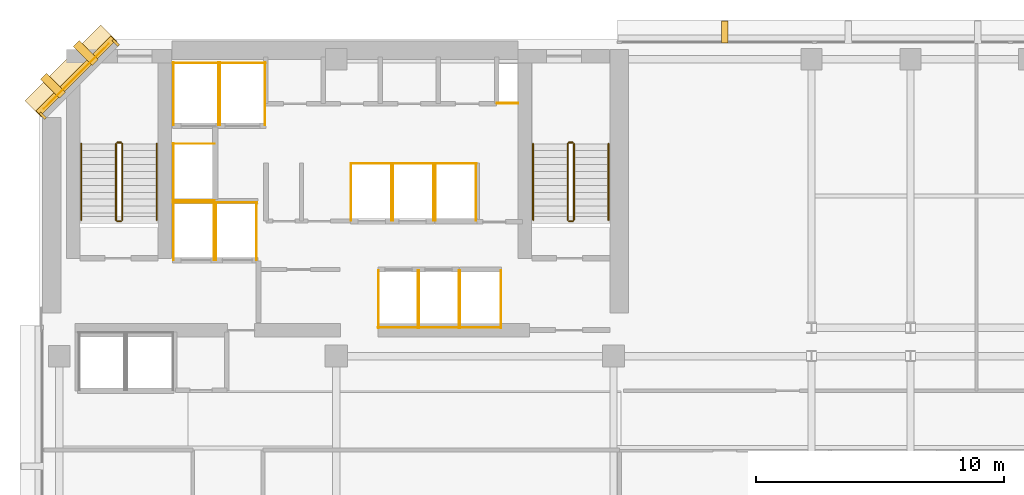
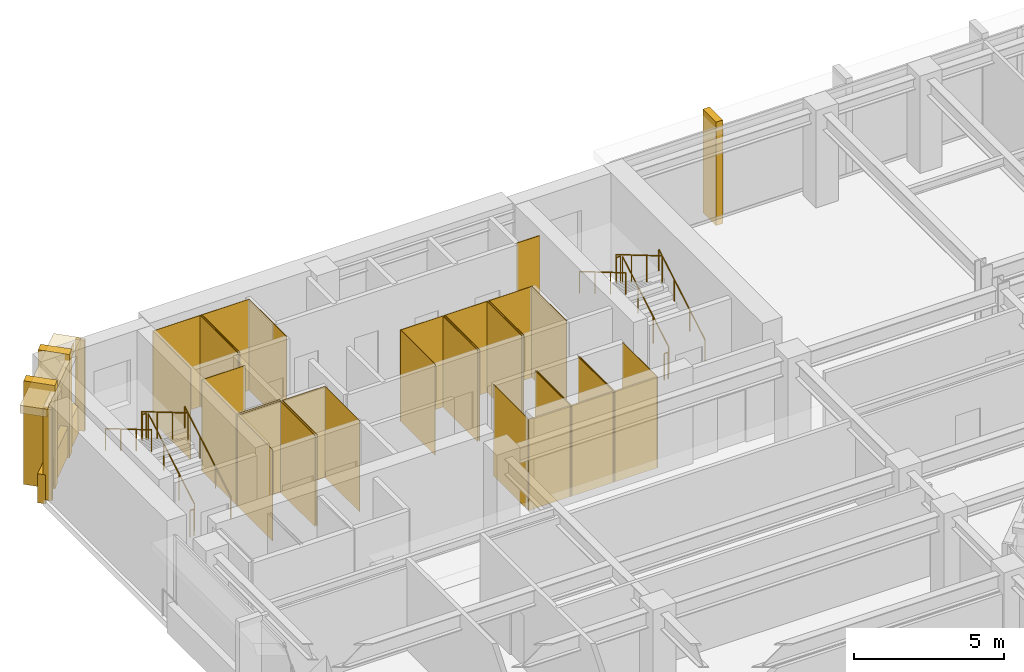
# One storey, part 10 of 11: 42 coverings, 12 railings.
"""IFC4 building model written with IfcOpenShell, lengths in metres."""

from ifc_helpers import new_model, si_unit, direction, frame, origin, origin_2d, place, context, subcontext, project, spatial, polyline, rectangle, circle, outline, extrude, material, layer, layer_set, type_object, element, save


model = new_model("IFC4")

# Units and contexts
model_context = context("Model", 3, precision=1e-05, world=origin(), true_north=direction((0.0, 1.0)))
body_context = subcontext(model_context, "Body", "Model", "MODEL_VIEW")
ifc_project = project(units=[si_unit("LENGTHUNIT", "METRE"), si_unit("AREAUNIT", "SQUARE_METRE"), si_unit("VOLUMEUNIT", "CUBIC_METRE"), si_unit("PLANEANGLEUNIT", "RADIAN"), si_unit("MASSUNIT", "GRAM", prefix="KILO")], contexts=[model_context])

# Site, building, storey
site_placement = place(None, origin())
site = spatial("IfcSite", under=ifc_project, at=site_placement, CompositionType="ELEMENT")
building_placement = place(site_placement, origin())
building = spatial("IfcBuilding", under=site, at=building_placement, Name="Kefirva Bronze Tower", CompositionType="ELEMENT")
storey_placement = place(building_placement, frame((0.0, 0.0, 150.81005859375)))
storey = spatial("IfcBuildingStorey", under=building, at=storey_placement, Name="L36", CompositionType="ELEMENT", Elevation=150.81005859375)

# Coverings
ifc_material_1 = material(Name="Bronze anodised aluminium", Category="aluminium")
ifc_layer_1 = layer(ifc_material_1, 0.02001953125, Name="Bronze anodised aluminium")
ifc_layer_set_1 = layer_set([ifc_layer_1], Name="Bronze anodised aluminium")
covering_type_1 = type_object("IfcCoveringType", Name="Anodised Bronze Spandrel Cladding 20mm", PredefinedType="CLADDING", material=ifc_layer_set_1)
covering_1_placement = place(storey_placement, frame((1.492919921875, 44.507080078125, 3.2900390625), z_axis=(0.0, 0.0, 1.0), x_axis=(-0.707106781187, -0.707106781187, 0.0)))
element("IfcCovering", 1, at=covering_1_placement, inside=storey, type_object=covering_type_1, Name="L36 Bronze Spandrel Cladding 5", PredefinedType="CLADDING", context=body_context, shape_type="SweptSolid", body=[
    extrude(rectangle(XDim=3.719482421875, YDim=0.02001953125, at=origin_2d()), origin(), (0.0, 0.0, 1.0), 0.39990234375),
])
for number, where, z_axis, x_axis, name in (
    (2, (3.08837890625, 45.862060546875, 0.0), (0.0, 0.0, 1.0), (-0.707106781187, -0.707106781187, 0.0), "L36 Facade Joint Closure Panel 5S"),
    (3, (0.137939453125, 42.91162109375, 0.0), (0.0, 0.0, 1.0), (-0.707106781187, -0.707106781187, 0.0), "L36 Facade Joint Closure Panel 5E"),
):
    element("IfcCovering", number, at=place(storey_placement, frame(where, z_axis=z_axis, x_axis=x_axis)), inside=storey, type_object=covering_type_1, Name=name, PredefinedType="CLADDING", context=body_context, shape_type="SweptSolid", body=[
        extrude(rectangle(XDim=0.10009765625, YDim=0.320068359375, at=origin_2d()), origin(), (0.0, 0.0, 1.0), 3.7099609375),
    ])
covering_2_placement = place(storey_placement, frame((1.4716796875, 44.5283203125, -0.16015625), z_axis=(0.0, 0.0, 1.0), x_axis=(-0.707106781187, -0.707106781187, 0.0)))
element("IfcCovering", 4, at=covering_2_placement, inside=storey, type_object=covering_type_1, Name="L36 Streamline Horizontal Spandrel Band 9", PredefinedType="CLADDING", context=body_context, shape_type="SweptSolid", body=[
    extrude(rectangle(XDim=4.28271484375, YDim=0.280029296875, at=origin_2d()), origin(), (0.0, 0.0, 1.0), 1.179931640625),
])
covering_3_placement = place(storey_placement, origin())
element("IfcCovering", 5, at=covering_3_placement, inside=storey, type_object=covering_type_1, Name="L36 Lift FF1 Hoistway Liner N", PredefinedType="CLADDING", context=body_context, shape_type="SweptSolid", body=[
    extrude(outline(polyline([(5.39990234375, 39.389892578125), (7.080078125, 39.389892578125), (7.080078125, 39.409912109375), (5.39990234375, 39.409912109375), (5.39990234375, 39.389892578125)])), origin(), (0.0, 0.0, 1.0), 3.7099609375),
])
covering_4_placement = place(storey_placement, origin())
element("IfcCovering", 6, at=covering_4_placement, inside=storey, type_object=covering_type_1, Name="L36 Lift FF1 Hoistway Liner W", PredefinedType="CLADDING", context=body_context, shape_type="SweptSolid", body=[
    extrude(outline(polyline([(5.409912109375, 37.080078125), (5.429931640625, 37.080078125), (5.429931640625, 39.419921875), (5.409912109375, 39.419921875), (5.409912109375, 37.080078125)])), origin(), (0.0, 0.0, 1.0), 3.7099609375),
])
covering_5_placement = place(storey_placement, origin())
element("IfcCovering", 7, at=covering_5_placement, inside=storey, type_object=covering_type_1, Name="L36 Lift FF1 Hoistway Liner E", PredefinedType="CLADDING", context=body_context, shape_type="SweptSolid", body=[
    extrude(outline(polyline([(7.050048828125, 37.080078125), (7.070068359375, 37.080078125), (7.070068359375, 39.419921875), (7.050048828125, 39.419921875), (7.050048828125, 37.080078125)])), origin(), (0.0, 0.0, 1.0), 3.7099609375),
])
covering_6_placement = place(storey_placement, origin())
element("IfcCovering", 8, at=covering_6_placement, inside=storey, type_object=covering_type_1, Name="L36 Lift FF2 Hoistway Liner N", PredefinedType="CLADDING", context=body_context, shape_type="SweptSolid", body=[
    extrude(outline(polyline([(7.1201171875, 39.389892578125), (8.800048828125, 39.389892578125), (8.800048828125, 39.409912109375), (7.1201171875, 39.409912109375), (7.1201171875, 39.389892578125)])), origin(), (0.0, 0.0, 1.0), 3.7099609375),
])
covering_7_placement = place(storey_placement, origin())
element("IfcCovering", 9, at=covering_7_placement, inside=storey, type_object=covering_type_1, Name="L36 Lift FF2 Hoistway Liner W", PredefinedType="CLADDING", context=body_context, shape_type="SweptSolid", body=[
    extrude(outline(polyline([(7.1298828125, 37.080078125), (7.14990234375, 37.080078125), (7.14990234375, 39.419921875), (7.1298828125, 39.419921875), (7.1298828125, 37.080078125)])), origin(), (0.0, 0.0, 1.0), 3.7099609375),
])
covering_8_placement = place(storey_placement, origin())
element("IfcCovering", 10, at=covering_8_placement, inside=storey, type_object=covering_type_1, Name="L36 Lift FF2 Hoistway Liner E", PredefinedType="CLADDING", context=body_context, shape_type="SweptSolid", body=[
    extrude(outline(polyline([(8.77001953125, 37.080078125), (8.7900390625, 37.080078125), (8.7900390625, 39.419921875), (8.77001953125, 39.419921875), (8.77001953125, 37.080078125)])), origin(), (0.0, 0.0, 1.0), 3.7099609375),
])
covering_9_placement = place(storey_placement, origin())
element("IfcCovering", 11, at=covering_9_placement, inside=storey, type_object=covering_type_1, Name="L36 Lift SV1 Hoistway Liner N", PredefinedType="CLADDING", context=body_context, shape_type="SweptSolid", body=[
    extrude(outline(polyline([(5.39990234375, 45.0400390625), (7.260009765625, 45.0400390625), (7.260009765625, 45.06005859375), (5.39990234375, 45.06005859375), (5.39990234375, 45.0400390625)])), origin(), (0.0, 0.0, 1.0), 3.7099609375),
])
covering_10_placement = place(storey_placement, origin())
element("IfcCovering", 12, at=covering_10_placement, inside=storey, type_object=covering_type_1, Name="L36 Lift SV1 Hoistway Liner W", PredefinedType="CLADDING", context=body_context, shape_type="SweptSolid", body=[
    extrude(outline(polyline([(5.409912109375, 42.530029296875), (5.429931640625, 42.530029296875), (5.429931640625, 45.070068359375), (5.409912109375, 45.070068359375), (5.409912109375, 42.530029296875)])), origin(), (0.0, 0.0, 1.0), 3.7099609375),
])
covering_11_placement = place(storey_placement, origin())
element("IfcCovering", 13, at=covering_11_placement, inside=storey, type_object=covering_type_1, Name="L36 Lift SV1 Hoistway Liner E", PredefinedType="CLADDING", context=body_context, shape_type="SweptSolid", body=[
    extrude(outline(polyline([(7.22998046875, 42.530029296875), (7.25, 42.530029296875), (7.25, 45.070068359375), (7.22998046875, 45.070068359375), (7.22998046875, 42.530029296875)])), origin(), (0.0, 0.0, 1.0), 3.7099609375),
])
covering_12_placement = place(storey_placement, origin())
element("IfcCovering", 14, at=covering_12_placement, inside=storey, type_object=covering_type_1, Name="L36 Lift SV2 Hoistway Liner N", PredefinedType="CLADDING", context=body_context, shape_type="SweptSolid", body=[
    extrude(outline(polyline([(7.280029296875, 45.0400390625), (9.139892578125, 45.0400390625), (9.139892578125, 45.06005859375), (7.280029296875, 45.06005859375), (7.280029296875, 45.0400390625)])), origin(), (0.0, 0.0, 1.0), 3.7099609375),
])
covering_13_placement = place(storey_placement, origin())
element("IfcCovering", 15, at=covering_13_placement, inside=storey, type_object=covering_type_1, Name="L36 Lift SV2 Hoistway Liner W", PredefinedType="CLADDING", context=body_context, shape_type="SweptSolid", body=[
    extrude(outline(polyline([(7.2900390625, 42.530029296875), (7.31005859375, 42.530029296875), (7.31005859375, 45.070068359375), (7.2900390625, 45.070068359375), (7.2900390625, 42.530029296875)])), origin(), (0.0, 0.0, 1.0), 3.7099609375),
])
covering_14_placement = place(storey_placement, origin())
element("IfcCovering", 16, at=covering_14_placement, inside=storey, type_object=covering_type_1, Name="L36 Lift SV2 Hoistway Liner E", PredefinedType="CLADDING", context=body_context, shape_type="SweptSolid", body=[
    extrude(outline(polyline([(9.110107421875, 42.530029296875), (9.1298828125, 42.530029296875), (9.1298828125, 45.070068359375), (9.110107421875, 45.070068359375), (9.110107421875, 42.530029296875)])), origin(), (0.0, 0.0, 1.0), 3.7099609375),
])
covering_15_placement = place(storey_placement, origin())
element("IfcCovering", 17, at=covering_15_placement, inside=storey, type_object=covering_type_1, Name="L36 Lift MP1 Hoistway Liner S", PredefinedType="CLADDING", context=body_context, shape_type="SweptSolid", body=[
    extrude(outline(polyline([(13.679931640625, 34.340087890625), (15.320068359375, 34.340087890625), (15.320068359375, 34.360107421875), (13.679931640625, 34.360107421875), (13.679931640625, 34.340087890625)])), origin(), (0.0, 0.0, 1.0), 3.7099609375),
])
covering_16_placement = place(storey_placement, origin())
element("IfcCovering", 18, at=covering_16_placement, inside=storey, type_object=covering_type_1, Name="L36 Lift MP1 Hoistway Liner W", PredefinedType="CLADDING", context=body_context, shape_type="SweptSolid", body=[
    extrude(outline(polyline([(13.68994140625, 34.330078125), (13.7099609375, 34.330078125), (13.7099609375, 36.669921875), (13.68994140625, 36.669921875), (13.68994140625, 34.330078125)])), origin(), (0.0, 0.0, 1.0), 3.7099609375),
])
covering_17_placement = place(storey_placement, origin())
element("IfcCovering", 19, at=covering_17_placement, inside=storey, type_object=covering_type_1, Name="L36 Lift MP1 Hoistway Liner E", PredefinedType="CLADDING", context=body_context, shape_type="SweptSolid", body=[
    extrude(outline(polyline([(15.2900390625, 34.330078125), (15.31005859375, 34.330078125), (15.31005859375, 36.669921875), (15.2900390625, 36.669921875), (15.2900390625, 34.330078125)])), origin(), (0.0, 0.0, 1.0), 3.7099609375),
])
covering_18_placement = place(storey_placement, origin())
element("IfcCovering", 20, at=covering_18_placement, inside=storey, type_object=covering_type_1, Name="L36 Lift MP2 Hoistway Liner S", PredefinedType="CLADDING", context=body_context, shape_type="SweptSolid", body=[
    extrude(outline(polyline([(15.330078125, 34.340087890625), (16.969970703125, 34.340087890625), (16.969970703125, 34.360107421875), (15.330078125, 34.360107421875), (15.330078125, 34.340087890625)])), origin(), (0.0, 0.0, 1.0), 3.7099609375),
])
covering_19_placement = place(storey_placement, origin())
element("IfcCovering", 21, at=covering_19_placement, inside=storey, type_object=covering_type_1, Name="L36 Lift MP2 Hoistway Liner W", PredefinedType="CLADDING", context=body_context, shape_type="SweptSolid", body=[
    extrude(outline(polyline([(15.340087890625, 34.330078125), (15.360107421875, 34.330078125), (15.360107421875, 36.669921875), (15.340087890625, 36.669921875), (15.340087890625, 34.330078125)])), origin(), (0.0, 0.0, 1.0), 3.7099609375),
])
covering_20_placement = place(storey_placement, origin())
element("IfcCovering", 22, at=covering_20_placement, inside=storey, type_object=covering_type_1, Name="L36 Lift MP2 Hoistway Liner E", PredefinedType="CLADDING", context=body_context, shape_type="SweptSolid", body=[
    extrude(outline(polyline([(16.93994140625, 34.330078125), (16.9599609375, 34.330078125), (16.9599609375, 36.669921875), (16.93994140625, 36.669921875), (16.93994140625, 34.330078125)])), origin(), (0.0, 0.0, 1.0), 3.7099609375),
])
covering_21_placement = place(storey_placement, origin())
element("IfcCovering", 23, at=covering_21_placement, inside=storey, type_object=covering_type_1, Name="L36 Lift MP3 Hoistway Liner N", PredefinedType="CLADDING", context=body_context, shape_type="SweptSolid", body=[
    extrude(outline(polyline([(12.580078125, 40.969970703125), (14.25, 40.969970703125), (14.25, 40.989990234375), (12.580078125, 40.989990234375), (12.580078125, 40.969970703125)])), origin(), (0.0, 0.0, 1.0), 3.7099609375),
])
covering_22_placement = place(storey_placement, origin())
element("IfcCovering", 24, at=covering_22_placement, inside=storey, type_object=covering_type_1, Name="L36 Lift MP3 Hoistway Liner W", PredefinedType="CLADDING", context=body_context, shape_type="SweptSolid", body=[
    extrude(outline(polyline([(12.590087890625, 38.659912109375), (12.610107421875, 38.659912109375), (12.610107421875, 41.0), (12.590087890625, 41.0), (12.590087890625, 38.659912109375)])), origin(), (0.0, 0.0, 1.0), 3.7099609375),
])
covering_23_placement = place(storey_placement, origin())
element("IfcCovering", 25, at=covering_23_placement, inside=storey, type_object=covering_type_1, Name="L36 Lift MP3 Hoistway Liner E", PredefinedType="CLADDING", context=body_context, shape_type="SweptSolid", body=[
    extrude(outline(polyline([(14.219970703125, 38.659912109375), (14.239990234375, 38.659912109375), (14.239990234375, 41.0), (14.219970703125, 41.0), (14.219970703125, 38.659912109375)])), origin(), (0.0, 0.0, 1.0), 3.7099609375),
])
covering_24_placement = place(storey_placement, origin())
element("IfcCovering", 26, at=covering_24_placement, inside=storey, type_object=covering_type_1, Name="L36 Lift MP4 Hoistway Liner N", PredefinedType="CLADDING", context=body_context, shape_type="SweptSolid", body=[
    extrude(outline(polyline([(14.280029296875, 40.969970703125), (15.949951171875, 40.969970703125), (15.949951171875, 40.989990234375), (14.280029296875, 40.989990234375), (14.280029296875, 40.969970703125)])), origin(), (0.0, 0.0, 1.0), 3.7099609375),
])
covering_25_placement = place(storey_placement, origin())
element("IfcCovering", 27, at=covering_25_placement, inside=storey, type_object=covering_type_1, Name="L36 Lift MP4 Hoistway Liner W", PredefinedType="CLADDING", context=body_context, shape_type="SweptSolid", body=[
    extrude(outline(polyline([(14.2900390625, 38.659912109375), (14.31005859375, 38.659912109375), (14.31005859375, 41.0), (14.2900390625, 41.0), (14.2900390625, 38.659912109375)])), origin(), (0.0, 0.0, 1.0), 3.7099609375),
])
covering_26_placement = place(storey_placement, origin())
element("IfcCovering", 28, at=covering_26_placement, inside=storey, type_object=covering_type_1, Name="L36 Lift MP4 Hoistway Liner E", PredefinedType="CLADDING", context=body_context, shape_type="SweptSolid", body=[
    extrude(outline(polyline([(15.919921875, 38.659912109375), (15.93994140625, 38.659912109375), (15.93994140625, 41.0), (15.919921875, 41.0), (15.919921875, 38.659912109375)])), origin(), (0.0, 0.0, 1.0), 3.7099609375),
])
covering_27_placement = place(storey_placement, origin())
element("IfcCovering", 29, at=covering_27_placement, inside=storey, type_object=covering_type_1, Name="L36 Lift HP1 Hoistway Liner S", PredefinedType="CLADDING", context=body_context, shape_type="SweptSolid", body=[
    extrude(outline(polyline([(16.97998046875, 34.340087890625), (18.669921875, 34.340087890625), (18.669921875, 34.360107421875), (16.97998046875, 34.360107421875), (16.97998046875, 34.340087890625)])), origin(), (0.0, 0.0, 1.0), 3.7099609375),
])
covering_28_placement = place(storey_placement, origin())
element("IfcCovering", 30, at=covering_28_placement, inside=storey, type_object=covering_type_1, Name="L36 Lift HP1 Hoistway Liner W", PredefinedType="CLADDING", context=body_context, shape_type="SweptSolid", body=[
    extrude(outline(polyline([(16.989990234375, 34.330078125), (17.010009765625, 34.330078125), (17.010009765625, 36.669921875), (16.989990234375, 36.669921875), (16.989990234375, 34.330078125)])), origin(), (0.0, 0.0, 1.0), 3.7099609375),
])
covering_29_placement = place(storey_placement, origin())
element("IfcCovering", 31, at=covering_29_placement, inside=storey, type_object=covering_type_1, Name="L36 Lift HP1 Hoistway Liner E", PredefinedType="CLADDING", context=body_context, shape_type="SweptSolid", body=[
    extrude(outline(polyline([(18.639892578125, 34.330078125), (18.659912109375, 34.330078125), (18.659912109375, 36.669921875), (18.639892578125, 36.669921875), (18.639892578125, 34.330078125)])), origin(), (0.0, 0.0, 1.0), 3.7099609375),
])
covering_30_placement = place(storey_placement, origin())
element("IfcCovering", 32, at=covering_30_placement, inside=storey, type_object=covering_type_1, Name="L36 Lift HP2 Hoistway Liner N", PredefinedType="CLADDING", context=body_context, shape_type="SweptSolid", body=[
    extrude(outline(polyline([(15.97998046875, 40.969970703125), (17.669921875, 40.969970703125), (17.669921875, 40.989990234375), (15.97998046875, 40.989990234375), (15.97998046875, 40.969970703125)])), origin(), (0.0, 0.0, 1.0), 3.7099609375),
])
covering_31_placement = place(storey_placement, origin())
element("IfcCovering", 33, at=covering_31_placement, inside=storey, type_object=covering_type_1, Name="L36 Lift HP2 Hoistway Liner W", PredefinedType="CLADDING", context=body_context, shape_type="SweptSolid", body=[
    extrude(outline(polyline([(15.989990234375, 38.659912109375), (16.010009765625, 38.659912109375), (16.010009765625, 41.0), (15.989990234375, 41.0), (15.989990234375, 38.659912109375)])), origin(), (0.0, 0.0, 1.0), 3.7099609375),
])
covering_32_placement = place(storey_placement, origin())
element("IfcCovering", 34, at=covering_32_placement, inside=storey, type_object=covering_type_1, Name="L36 Lift HP2 Hoistway Liner E", PredefinedType="CLADDING", context=body_context, shape_type="SweptSolid", body=[
    extrude(outline(polyline([(17.639892578125, 38.659912109375), (17.659912109375, 38.659912109375), (17.659912109375, 41.0), (17.639892578125, 41.0), (17.639892578125, 38.659912109375)])), origin(), (0.0, 0.0, 1.0), 3.7099609375),
])
covering_33_placement = place(storey_placement, origin())
element("IfcCovering", 35, at=covering_33_placement, inside=storey, type_object=covering_type_1, Name="L36 Lift HP3 Hoistway Liner N", PredefinedType="CLADDING", context=body_context, shape_type="SweptSolid", body=[
    extrude(outline(polyline([(5.39990234375, 41.77001953125), (7.080078125, 41.77001953125), (7.080078125, 41.7900390625), (5.39990234375, 41.7900390625), (5.39990234375, 41.77001953125)])), origin(), (0.0, 0.0, 1.0), 3.7099609375),
])
covering_34_placement = place(storey_placement, origin())
element("IfcCovering", 36, at=covering_34_placement, inside=storey, type_object=covering_type_1, Name="L36 Lift HP3 Hoistway Liner S", PredefinedType="CLADDING", context=body_context, shape_type="SweptSolid", body=[
    extrude(outline(polyline([(5.39990234375, 39.469970703125), (7.080078125, 39.469970703125), (7.080078125, 39.489990234375), (5.39990234375, 39.489990234375), (5.39990234375, 39.469970703125)])), origin(), (0.0, 0.0, 1.0), 3.7099609375),
])
covering_35_placement = place(storey_placement, origin())
element("IfcCovering", 37, at=covering_35_placement, inside=storey, type_object=covering_type_1, Name="L36 Lift HP3 Hoistway Liner W", PredefinedType="CLADDING", context=body_context, shape_type="SweptSolid", body=[
    extrude(outline(polyline([(5.409912109375, 39.4599609375), (5.429931640625, 39.4599609375), (5.429931640625, 41.800048828125), (5.409912109375, 41.800048828125), (5.409912109375, 39.4599609375)])), origin(), (0.0, 0.0, 1.0), 3.7099609375),
])
covering_36_placement = place(storey_placement, origin())
element("IfcCovering", 38, at=covering_36_placement, inside=storey, type_object=covering_type_1, Name="L36 Core MEP Riser Shaft Liner South", PredefinedType="CLADDING", context=body_context, shape_type="SweptSolid", body=[
    extrude(outline(polyline([(18.47998046875, 43.39990234375), (19.360107421875, 43.39990234375), (19.360107421875, 43.429931640625), (18.47998046875, 43.429931640625), (18.47998046875, 43.39990234375)])), origin(), (0.0, 0.0, 1.0), 3.7099609375),
])

# Railings
ifc_material_2 = material(Name="Stainless steel 316", Category="steel")
railing_type_1 = type_object("IfcRailingType", Name="Interior Stair Guardrail 1100mm", PredefinedType="GUARDRAIL", material=ifc_material_2)
railing_1_placement = place(storey_placement, frame((3.35009765625, 38.699951171875, 0.1650390625)))
element("IfcRailing", 39, at=railing_1_placement, inside=storey, type_object=railing_type_1, Name="L36 ST-1 stair guard 1", PredefinedType="GUARDRAIL", context=body_context, shape_type="SweptSolid", body=[
    extrude(circle(Radius=0.02392578125, at=origin_2d()), frame((0.0, 0.0, 1.076171875), z_axis=(0.0, 0.861551262678, 0.507670583921), x_axis=(-1.0, 0.0, 0.0)), (0.0, 0.0, 1.0), 3.574951171875),
    extrude(circle(Radius=0.02099609375, at=origin_2d()), origin(), (0.0, 0.0, 1.0), 1.052001953125),
    extrude(circle(Radius=0.02099609375, at=origin_2d()), frame((0.0, 1.026611328125, 0.60498046875)), (0.0, 0.0, 1.0), 1.052001953125),
    extrude(circle(Radius=0.02099609375, at=origin_2d()), frame((0.0, 2.053466796875, 1.2099609375)), (0.0, 0.0, 1.0), 1.052001953125),
    extrude(circle(Radius=0.02099609375, at=origin_2d()), frame((0.0, 3.080078125, 1.81494140625)), (0.0, 0.0, 1.0), 1.052001953125),
])
railing_2_placement = place(storey_placement, frame((3.300048828125, 41.830078125, 1.97998046875)))
element("IfcRailing", 40, at=railing_2_placement, inside=storey, type_object=railing_type_1, Name="L36 ST-1 stair guard 2", PredefinedType="GUARDRAIL", context=body_context, shape_type="SweptSolid", body=[
    extrude(circle(Radius=0.02392578125, at=origin_2d()), frame((0.0, 0.0, 1.076171875), z_axis=(-1.0, 0.0, 0.0), x_axis=(0.0, -1.0, 0.0)), (0.0, 0.0, 1.0), 0.150146484375),
    extrude(circle(Radius=0.02099609375, at=origin_2d()), origin(), (0.0, 0.0, 1.0), 1.052001953125),
    extrude(circle(Radius=0.02099609375, at=origin_2d()), frame((-0.150146484375, 0.0, 0.0)), (0.0, 0.0, 1.0), 1.052001953125),
])
railing_3_placement = place(storey_placement, frame((3.10009765625, 41.780029296875, 2.14501953125)))
element("IfcRailing", 41, at=railing_3_placement, inside=storey, type_object=railing_type_1, Name="L36 ST-1 stair guard 3", PredefinedType="GUARDRAIL", context=body_context, shape_type="SweptSolid", body=[
    extrude(circle(Radius=0.02392578125, at=origin_2d()), frame((0.0, 0.0, 1.076171875), z_axis=(0.0, -0.861551262678, 0.507670583921), x_axis=(1.0, 0.0, 0.0)), (0.0, 0.0, 1.0), 3.574951171875),
    extrude(circle(Radius=0.02099609375, at=origin_2d()), origin(), (0.0, 0.0, 1.0), 1.052001953125),
    extrude(circle(Radius=0.02099609375, at=origin_2d()), frame((0.0, -1.026611328125, 0.60498046875)), (0.0, 0.0, 1.0), 1.052001953125),
    extrude(circle(Radius=0.02099609375, at=origin_2d()), frame((0.0, -2.053466796875, 1.2099609375)), (0.0, 0.0, 1.0), 1.052001953125),
    extrude(circle(Radius=0.02099609375, at=origin_2d()), frame((0.0, -3.080078125, 1.81494140625)), (0.0, 0.0, 1.0), 1.052001953125),
])
railing_4_placement = place(storey_placement, frame((3.300048828125, 38.64990234375, 0.0)))
element("IfcRailing", 42, at=railing_4_placement, inside=storey, type_object=railing_type_1, Name="L36 ST-1 stair guard 4", PredefinedType="GUARDRAIL", context=body_context, shape_type="SweptSolid", body=[
    extrude(circle(Radius=0.02392578125, at=origin_2d()), frame((0.0, 0.0, 1.076171875), z_axis=(-1.0, 0.0, 0.0), x_axis=(0.0, -1.0, 0.0)), (0.0, 0.0, 1.0), 0.150146484375),
    extrude(circle(Radius=0.02099609375, at=origin_2d()), origin(), (0.0, 0.0, 1.0), 1.052001953125),
    extrude(circle(Radius=0.02099609375, at=origin_2d()), frame((-0.150146484375, 0.0, 0.0)), (0.0, 0.0, 1.0), 1.052001953125),
])
railing_5_placement = place(storey_placement, frame((21.60009765625, 38.699951171875, 0.1650390625)))
element("IfcRailing", 43, at=railing_5_placement, inside=storey, type_object=railing_type_1, Name="L36 ST-2 stair guard 1", PredefinedType="GUARDRAIL", context=body_context, shape_type="SweptSolid", body=[
    extrude(circle(Radius=0.02392578125, at=origin_2d()), frame((0.0, 0.0, 1.076171875), z_axis=(0.0, 0.861551262678, 0.507670583921), x_axis=(-1.0, 0.0, 0.0)), (0.0, 0.0, 1.0), 3.574951171875),
    extrude(circle(Radius=0.02099609375, at=origin_2d()), origin(), (0.0, 0.0, 1.0), 1.052001953125),
    extrude(circle(Radius=0.02099609375, at=origin_2d()), frame((0.0, 1.026611328125, 0.60498046875)), (0.0, 0.0, 1.0), 1.052001953125),
    extrude(circle(Radius=0.02099609375, at=origin_2d()), frame((0.0, 2.053466796875, 1.2099609375)), (0.0, 0.0, 1.0), 1.052001953125),
    extrude(circle(Radius=0.02099609375, at=origin_2d()), frame((0.0, 3.080078125, 1.81494140625)), (0.0, 0.0, 1.0), 1.052001953125),
])
railing_6_placement = place(storey_placement, frame((21.550048828125, 41.830078125, 1.97998046875)))
element("IfcRailing", 44, at=railing_6_placement, inside=storey, type_object=railing_type_1, Name="L36 ST-2 stair guard 2", PredefinedType="GUARDRAIL", context=body_context, shape_type="SweptSolid", body=[
    extrude(circle(Radius=0.02392578125, at=origin_2d()), frame((0.0, 0.0, 1.076171875), z_axis=(-1.0, 0.0, 0.0), x_axis=(0.0, -1.0, 0.0)), (0.0, 0.0, 1.0), 0.150146484375),
    extrude(circle(Radius=0.02099609375, at=origin_2d()), origin(), (0.0, 0.0, 1.0), 1.052001953125),
    extrude(circle(Radius=0.02099609375, at=origin_2d()), frame((-0.150146484375, 0.0, 0.0)), (0.0, 0.0, 1.0), 1.052001953125),
])
railing_7_placement = place(storey_placement, frame((21.35009765625, 41.780029296875, 2.14501953125)))
element("IfcRailing", 45, at=railing_7_placement, inside=storey, type_object=railing_type_1, Name="L36 ST-2 stair guard 3", PredefinedType="GUARDRAIL", context=body_context, shape_type="SweptSolid", body=[
    extrude(circle(Radius=0.02392578125, at=origin_2d()), frame((0.0, 0.0, 1.076171875), z_axis=(0.0, -0.861551262678, 0.507670583921), x_axis=(1.0, 0.0, 0.0)), (0.0, 0.0, 1.0), 3.574951171875),
    extrude(circle(Radius=0.02099609375, at=origin_2d()), origin(), (0.0, 0.0, 1.0), 1.052001953125),
    extrude(circle(Radius=0.02099609375, at=origin_2d()), frame((0.0, -1.026611328125, 0.60498046875)), (0.0, 0.0, 1.0), 1.052001953125),
    extrude(circle(Radius=0.02099609375, at=origin_2d()), frame((0.0, -2.053466796875, 1.2099609375)), (0.0, 0.0, 1.0), 1.052001953125),
    extrude(circle(Radius=0.02099609375, at=origin_2d()), frame((0.0, -3.080078125, 1.81494140625)), (0.0, 0.0, 1.0), 1.052001953125),
])
railing_8_placement = place(storey_placement, frame((21.550048828125, 38.64990234375, 0.0)))
element("IfcRailing", 46, at=railing_8_placement, inside=storey, type_object=railing_type_1, Name="L36 ST-2 stair guard 4", PredefinedType="GUARDRAIL", context=body_context, shape_type="SweptSolid", body=[
    extrude(circle(Radius=0.02392578125, at=origin_2d()), frame((0.0, 0.0, 1.076171875), z_axis=(-1.0, 0.0, 0.0), x_axis=(0.0, -1.0, 0.0)), (0.0, 0.0, 1.0), 0.150146484375),
    extrude(circle(Radius=0.02099609375, at=origin_2d()), origin(), (0.0, 0.0, 1.0), 1.052001953125),
    extrude(circle(Radius=0.02099609375, at=origin_2d()), frame((-0.150146484375, 0.0, 0.0)), (0.0, 0.0, 1.0), 1.052001953125),
])
railing_type_2 = type_object("IfcRailingType", Name="Stair Pitch Handrail 900mm", PredefinedType="HANDRAIL", material=ifc_material_2)
railing_9_placement = place(storey_placement, frame((4.75, 38.699951171875, 0.1650390625)))
element("IfcRailing", 47, at=railing_9_placement, inside=storey, type_object=railing_type_2, Name="L36 ST-1 stair handrail 1", PredefinedType="HANDRAIL", context=body_context, shape_type="SweptSolid", body=[
    extrude(circle(Radius=0.02392578125, at=origin_2d()), frame((0.0, 0.0, 0.8759765625), z_axis=(0.0, 0.861551262678, 0.507670583921), x_axis=(-1.0, 0.0, 0.0)), (0.0, 0.0, 1.0), 3.574951171875),
    extrude(circle(Radius=0.02099609375, at=origin_2d()), origin(), (0.0, 0.0, 1.0), 0.851806640625),
    extrude(circle(Radius=0.02099609375, at=origin_2d()), frame((0.0, 1.026611328125, 0.60498046875)), (0.0, 0.0, 1.0), 0.851806640625),
    extrude(circle(Radius=0.02099609375, at=origin_2d()), frame((0.0, 2.053466796875, 1.2099609375)), (0.0, 0.0, 1.0), 0.851806640625),
    extrude(circle(Radius=0.02099609375, at=origin_2d()), frame((0.0, 3.080078125, 1.81494140625)), (0.0, 0.0, 1.0), 0.851806640625),
])
railing_10_placement = place(storey_placement, frame((1.699951171875, 41.780029296875, 2.14501953125)))
element("IfcRailing", 48, at=railing_10_placement, inside=storey, type_object=railing_type_2, Name="L36 ST-1 stair handrail 2", PredefinedType="HANDRAIL", context=body_context, shape_type="SweptSolid", body=[
    extrude(circle(Radius=0.02392578125, at=origin_2d()), frame((0.0, 0.0, 0.8759765625), z_axis=(0.0, -0.861551262678, 0.507670583921), x_axis=(1.0, 0.0, 0.0)), (0.0, 0.0, 1.0), 3.574951171875),
    extrude(circle(Radius=0.02099609375, at=origin_2d()), origin(), (0.0, 0.0, 1.0), 0.851806640625),
    extrude(circle(Radius=0.02099609375, at=origin_2d()), frame((0.0, -1.026611328125, 0.60498046875)), (0.0, 0.0, 1.0), 0.851806640625),
    extrude(circle(Radius=0.02099609375, at=origin_2d()), frame((0.0, -2.053466796875, 1.2099609375)), (0.0, 0.0, 1.0), 0.851806640625),
    extrude(circle(Radius=0.02099609375, at=origin_2d()), frame((0.0, -3.080078125, 1.81494140625)), (0.0, 0.0, 1.0), 0.851806640625),
])
railing_11_placement = place(storey_placement, frame((23.0, 38.699951171875, 0.1650390625)))
element("IfcRailing", 49, at=railing_11_placement, inside=storey, type_object=railing_type_2, Name="L36 ST-2 stair handrail 1", PredefinedType="HANDRAIL", context=body_context, shape_type="SweptSolid", body=[
    extrude(circle(Radius=0.02392578125, at=origin_2d()), frame((0.0, 0.0, 0.8759765625), z_axis=(0.0, 0.861551262678, 0.507670583921), x_axis=(-1.0, 0.0, 0.0)), (0.0, 0.0, 1.0), 3.574951171875),
    extrude(circle(Radius=0.02099609375, at=origin_2d()), origin(), (0.0, 0.0, 1.0), 0.851806640625),
    extrude(circle(Radius=0.02099609375, at=origin_2d()), frame((0.0, 1.026611328125, 0.60498046875)), (0.0, 0.0, 1.0), 0.851806640625),
    extrude(circle(Radius=0.02099609375, at=origin_2d()), frame((0.0, 2.053466796875, 1.2099609375)), (0.0, 0.0, 1.0), 0.851806640625),
    extrude(circle(Radius=0.02099609375, at=origin_2d()), frame((0.0, 3.080078125, 1.81494140625)), (0.0, 0.0, 1.0), 0.851806640625),
])
railing_12_placement = place(storey_placement, frame((19.949951171875, 41.780029296875, 2.14501953125)))
element("IfcRailing", 50, at=railing_12_placement, inside=storey, type_object=railing_type_2, Name="L36 ST-2 stair handrail 2", PredefinedType="HANDRAIL", context=body_context, shape_type="SweptSolid", body=[
    extrude(circle(Radius=0.02392578125, at=origin_2d()), frame((0.0, 0.0, 0.8759765625), z_axis=(0.0, -0.861551262678, 0.507670583921), x_axis=(1.0, 0.0, 0.0)), (0.0, 0.0, 1.0), 3.574951171875),
    extrude(circle(Radius=0.02099609375, at=origin_2d()), origin(), (0.0, 0.0, 1.0), 0.851806640625),
    extrude(circle(Radius=0.02099609375, at=origin_2d()), frame((0.0, -1.026611328125, 0.60498046875)), (0.0, 0.0, 1.0), 0.851806640625),
    extrude(circle(Radius=0.02099609375, at=origin_2d()), frame((0.0, -2.053466796875, 1.2099609375)), (0.0, 0.0, 1.0), 0.851806640625),
    extrude(circle(Radius=0.02099609375, at=origin_2d()), frame((0.0, -3.080078125, 1.81494140625)), (0.0, 0.0, 1.0), 0.851806640625),
])

# Coverings
ifc_layer_2 = layer(ifc_material_1, 0.179931640625, Name="Bronze anodised aluminium")
ifc_layer_set_2 = layer_set([ifc_layer_2], Name="Bronze anodised aluminium")
covering_type_2 = type_object("IfcCoveringType", Name="Streamline Bronze Sunshade Eyebrow Cladding 180mm", PredefinedType="CLADDING", material=ifc_layer_set_2)
covering_37_placement = place(storey_placement, frame((1.28076171875, 44.71923828125, 3.39013671875), z_axis=(0.0, 0.0, 1.0), x_axis=(-0.707106781187, -0.707106781187, 0.0)))
element("IfcCovering", 51, at=covering_37_placement, inside=storey, type_object=covering_type_2, Name="L36 Streamline Bronze Sunshade Eyebrow 9", PredefinedType="CLADDING", context=body_context, shape_type="SweptSolid", body=[
    extrude(rectangle(XDim=4.322509765625, YDim=0.93994140625, at=origin_2d()), origin(), (0.0, 0.0, 1.0), 0.320068359375),
])
ifc_layer_3 = layer(ifc_material_1, 0.260009765625, Name="Bronze anodised aluminium")
ifc_layer_set_3 = layer_set([ifc_layer_3], Name="Bronze anodised aluminium")
covering_type_3 = type_object("IfcCoveringType", Name="Unbroken Bronze Buttress Fin Cladding 260mm", PredefinedType="CLADDING", material=ifc_layer_set_3)
covering_38_placement = place(storey_placement, frame((27.68798828125, 46.300048828125, -0.25), z_axis=(0.0, 0.0, 1.0), x_axis=(-1.0, 0.0, 0.0)))
element("IfcCovering", 52, at=covering_38_placement, inside=storey, type_object=covering_type_3, Name="L36 Unbroken Vertical Bronze Rib Fin 20", PredefinedType="CLADDING", context=body_context, shape_type="SweptSolid", body=[
    extrude(rectangle(XDim=0.260009765625, YDim=0.8798828125, at=origin_2d()), origin(), (0.0, 0.0, 1.0), 4.2099609375),
])
for number, where, z_axis, x_axis, name in (
    (53, (1.877197265625, 45.44287109375, -0.25), (0.0, 0.0, 1.0), (-0.707106781187, -0.707106781187, 0.0), "L36 Chamfered Corner Buttress Fin Cladding 21"),
    (54, (0.55712890625, 44.122802734375, -0.25), (0.0, 0.0, 1.0), (-0.707106781187, -0.707106781187, 0.0), "L36 Chamfered Corner Buttress Fin Cladding 22"),
):
    element("IfcCovering", number, at=place(storey_placement, frame(where, z_axis=z_axis, x_axis=x_axis)), inside=storey, type_object=covering_type_3, Name=name, PredefinedType="CLADDING", context=body_context, shape_type="SweptSolid", body=[
        extrude(rectangle(XDim=0.340087890625, YDim=1.080078125, at=origin_2d()), origin(), (0.0, 0.0, 1.0), 4.2099609375),
    ])

save(model, "model.ifc")
